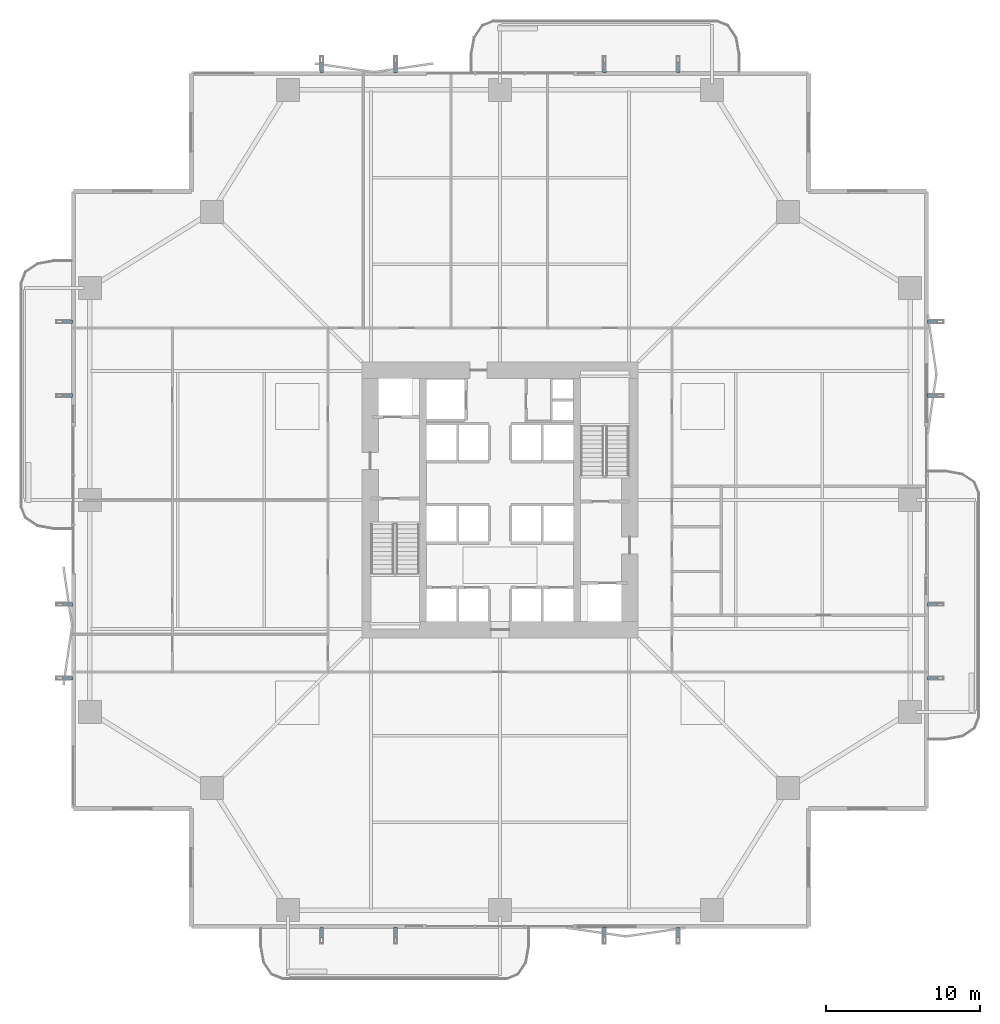
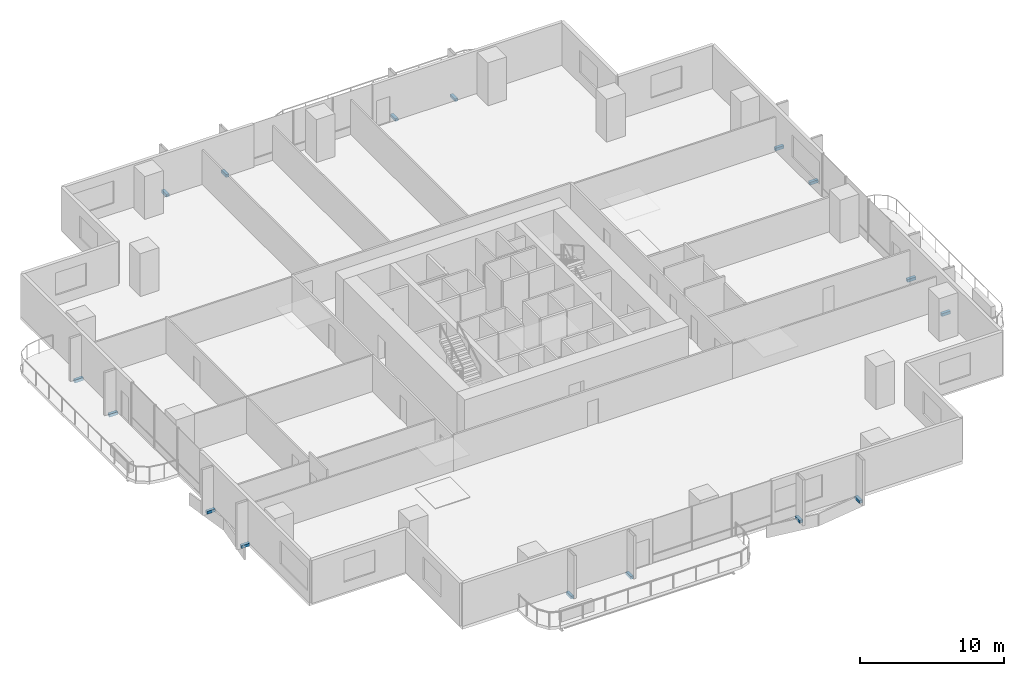
# One storey, part 20 of 23: 16 discrete accessories.
"""IFC4 building model written with IfcOpenShell, lengths in metres."""

from ifc_helpers import new_model, si_unit, direction, frame, origin, origin_2d, place, context, subcontext, project, spatial, rectangle, extrude, material, layer, layer_set, type_object, element, save


model = new_model("IFC4")

# Units and contexts
model_context = context("Model", 3, precision=1e-05, world=origin(), true_north=direction((0.0, 1.0)))
body_context = subcontext(model_context, "Body", "Model", "MODEL_VIEW")
ifc_project = project(units=[si_unit("LENGTHUNIT", "METRE"), si_unit("AREAUNIT", "SQUARE_METRE"), si_unit("VOLUMEUNIT", "CUBIC_METRE"), si_unit("PLANEANGLEUNIT", "RADIAN"), si_unit("MASSUNIT", "GRAM", prefix="KILO")], contexts=[model_context])

# Site, building, storey
site_placement = place(None, origin())
site = spatial("IfcSite", under=ifc_project, at=site_placement, CompositionType="ELEMENT")
building_placement = place(site_placement, origin())
building = spatial("IfcBuilding", under=site, at=building_placement, Name="Belovzor Exchange Tower", CompositionType="ELEMENT")
storey_placement = place(building_placement, frame((0.0, 0.0, 100.199951171875)))
storey = spatial("IfcBuildingStorey", under=building, at=storey_placement, Name="L24", CompositionType="ELEMENT", Elevation=100.199951171875)

# Discrete accessories
ifc_material = material(Name="Stainless Steel Grade 316", Category="steel")
ifc_layer = layer(ifc_material, 0.179931640625)
ifc_layer_set = layer_set([ifc_layer], Name="Stainless Steel Grade 316")
discrete_accessory_type = type_object("IfcDiscreteAccessoryType", Name="Stainless Steel Facade Outrigger Fixing Bracket", PredefinedType="BRACKET", material=ifc_layer_set)
for number, where, z_axis, x_axis, name in (
    (1, (17.199951171875, 0.636962890625, -0.2451171875), (0.0, 0.0, 1.0), (0.0, 1.0, 0.0), "BRK-FIN1 Sweeping Fin Outrigger Bracket L24 S1"),
    (2, (17.199951171875, 56.9619140625, -0.2451171875), (0.0, 0.0, 1.0), (0.0, 1.0, 0.0), "BRK-FIN1 Sweeping Fin Outrigger Bracket L24 N1"),
    (3, (0.636962890625, 17.199951171875, -0.2451171875), (0.0, 0.0, 1.0), (1.0, 0.0, 0.0), "BRK-FIN1 Sweeping Fin Outrigger Bracket L24 W1"),
    (4, (56.9619140625, 17.199951171875, -0.2451171875), (0.0, 0.0, 1.0), (1.0, 0.0, 0.0), "BRK-FIN1 Sweeping Fin Outrigger Bracket L24 E1"),
    (5, (22.0, 0.636962890625, -0.2451171875), (0.0, 0.0, 1.0), (0.0, 1.0, 0.0), "BRK-FIN1 Sweeping Fin Outrigger Bracket L24 S2"),
    (6, (22.0, 56.9619140625, -0.2451171875), (0.0, 0.0, 1.0), (0.0, 1.0, 0.0), "BRK-FIN1 Sweeping Fin Outrigger Bracket L24 N2"),
    (7, (0.636962890625, 22.0, -0.2451171875), (0.0, 0.0, 1.0), (1.0, 0.0, 0.0), "BRK-FIN1 Sweeping Fin Outrigger Bracket L24 W2"),
    (8, (56.9619140625, 22.0, -0.2451171875), (0.0, 0.0, 1.0), (1.0, 0.0, 0.0), "BRK-FIN1 Sweeping Fin Outrigger Bracket L24 E2"),
    (9, (35.60009765625, 0.636962890625, -0.2451171875), (0.0, 0.0, 1.0), (0.0, 1.0, 0.0), "BRK-FIN1 Sweeping Fin Outrigger Bracket L24 S3"),
    (10, (35.60009765625, 56.9619140625, -0.2451171875), (0.0, 0.0, 1.0), (0.0, 1.0, 0.0), "BRK-FIN1 Sweeping Fin Outrigger Bracket L24 N3"),
    (11, (0.636962890625, 35.60009765625, -0.2451171875), (0.0, 0.0, 1.0), (1.0, 0.0, 0.0), "BRK-FIN1 Sweeping Fin Outrigger Bracket L24 W3"),
    (12, (56.9619140625, 35.60009765625, -0.2451171875), (0.0, 0.0, 1.0), (1.0, 0.0, 0.0), "BRK-FIN1 Sweeping Fin Outrigger Bracket L24 E3"),
    (13, (40.39990234375, 0.636962890625, -0.2451171875), (0.0, 0.0, 1.0), (0.0, 1.0, 0.0), "BRK-FIN1 Sweeping Fin Outrigger Bracket L24 S4"),
    (14, (40.39990234375, 56.9619140625, -0.2451171875), (0.0, 0.0, 1.0), (0.0, 1.0, 0.0), "BRK-FIN1 Sweeping Fin Outrigger Bracket L24 N4"),
    (15, (0.636962890625, 40.39990234375, -0.2451171875), (0.0, 0.0, 1.0), (1.0, 0.0, 0.0), "BRK-FIN1 Sweeping Fin Outrigger Bracket L24 W4"),
    (16, (56.9619140625, 40.39990234375, -0.2451171875), (0.0, 0.0, 1.0), (1.0, 0.0, 0.0), "BRK-FIN1 Sweeping Fin Outrigger Bracket L24 E4"),
):
    element("IfcDiscreteAccessory", number, at=place(storey_placement, frame(where, z_axis=z_axis, x_axis=x_axis)), inside=storey, type_object=discrete_accessory_type, Name=name, PredefinedType="BRACKET", context=body_context, shape_type="SweptSolid", body=[
        extrude(rectangle(XDim=0.68505859375, YDim=0.239990234375, at=origin_2d()), origin(), (0.0, 0.0, 1.0), 0.239990234375),
    ])

save(model, "model.ifc")
